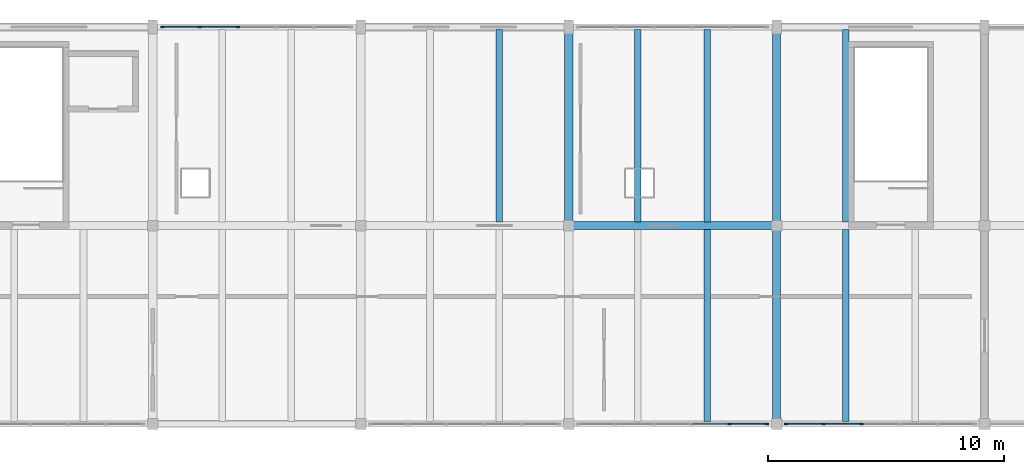
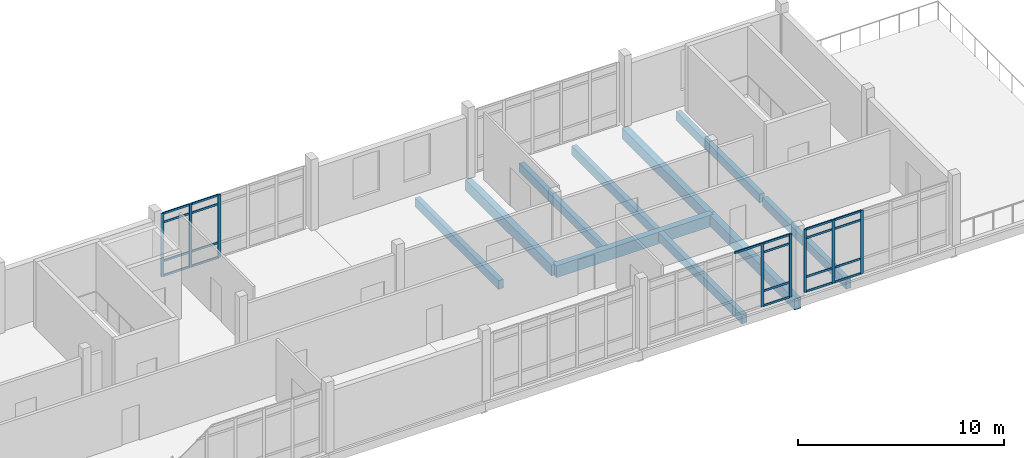
# One storey, part 6 of 13: 29 members, 10 beams, 3 elements without a shape of their own.
"""IFC4 building model written with IfcOpenShell, lengths in metres."""

from ifc_helpers import new_model, si_unit, direction, frame, origin, origin_2d, place, context, subcontext, project, spatial, rectangle, extrude, material, material_profile, profile_set, type_object, element, aggregate, save


model = new_model("IFC4")

# Units and contexts
model_context = context("Model", 3, precision=1e-05, world=origin(), true_north=direction((0.0, 1.0)))
body_context = subcontext(model_context, "Body", "Model", "MODEL_VIEW")
ifc_project = project(units=[si_unit("LENGTHUNIT", "METRE"), si_unit("AREAUNIT", "SQUARE_METRE"), si_unit("VOLUMEUNIT", "CUBIC_METRE"), si_unit("PLANEANGLEUNIT", "RADIAN"), si_unit("MASSUNIT", "GRAM", prefix="KILO")], contexts=[model_context])

# Site, building, storey
site_placement = place(None, origin())
site = spatial("IfcSite", under=ifc_project, at=site_placement, CompositionType="ELEMENT")
building_placement = place(site_placement, origin())
building = spatial("IfcBuilding", under=site, at=building_placement, Name="Cinderway Yard Community Centre", CompositionType="ELEMENT")
storey_placement = place(building_placement, frame((0.0, 0.0, 20.10009765625)))
storey = spatial("IfcBuildingStorey", under=building, at=storey_placement, Name="L05", CompositionType="ELEMENT", Elevation=20.10009765625)

# Curtain wall, members
ifc_material_1 = material(Name="Aluminium 6063-T6", Category="aluminium")
curtain_wall_type = type_object("IfcCurtainWallType", Name="ENV-CW-TYPE-27", PredefinedType="USERDEFINED", material=ifc_material_1)
curtain_wall_1_placement = place(storey_placement, origin())
curtain_wall_1 = element("IfcCurtainWall", 1, at=curtain_wall_1_placement, inside=storey, type_object=curtain_wall_type, Name="V4 Street Curtain Wall ENV-CW-L05-ST-0192", ObjectType="GLAZED CURTAIN WALL", PredefinedType="USERDEFINED")
ifc_material_profile_1 = material_profile(ifc_material_1, rectangle(XDim=0.06005859375, YDim=0.159912109375, at=origin_2d()), Name="Aluminium 6063-T6")
ifc_profile_set_1 = profile_set([ifc_material_profile_1], Name="Aluminium 6063-T6")
member_type_1 = type_object("IfcMemberType", Name="ENV-CW-MULL-150", PredefinedType="MULLION", material=ifc_profile_set_1)
member_1_placement = place(storey_placement, frame((84.409912109375, 115.199951171875, 0.0), z_axis=(0.0, 0.0, 1.0), x_axis=(0.0, 1.0, 0.0)))
member_1 = element("IfcMember", 2, at=member_1_placement, type_object=member_type_1, Name="CW-27 mullion 1", PredefinedType="MULLION", context=body_context, shape_type="SweptSolid", body=[
    extrude(rectangle(XDim=0.06005859375, YDim=0.159912109375, at=origin_2d()), origin(), (0.0, 0.0, 1.0), 3.75),
])
member_2_placement = place(storey_placement, frame((85.988037109375, 115.199951171875, 0.0), z_axis=(0.0, 0.0, 1.0), x_axis=(0.0, 1.0, 0.0)))
member_2 = element("IfcMember", 3, at=member_2_placement, type_object=member_type_1, Name="CW-27 mullion 2", PredefinedType="MULLION", context=body_context, shape_type="SweptSolid", body=[
    extrude(rectangle(XDim=0.06005859375, YDim=0.159912109375, at=origin_2d()), origin(), (0.0, 0.0, 1.0), 3.75),
])
member_3_placement = place(storey_placement, frame((87.595947265625, 115.199951171875, 0.0), z_axis=(0.0, 0.0, 1.0), x_axis=(0.0, 1.0, 0.0)))
member_3 = element("IfcMember", 4, at=member_3_placement, type_object=member_type_1, Name="CW-27 mullion 3", PredefinedType="MULLION", context=body_context, shape_type="SweptSolid", body=[
    extrude(rectangle(XDim=0.06005859375, YDim=0.159912109375, at=origin_2d()), origin(), (0.0, 0.0, 1.0), 3.75),
])

curtain_wall_2_placement = place(storey_placement, origin())
curtain_wall_2 = element("IfcCurtainWall", 5, at=curtain_wall_2_placement, inside=storey, type_object=curtain_wall_type, Name="V4 Courtyard Curtain Wall ENV-CW-L05-ST-0195", ObjectType="GLAZED CURTAIN WALL", PredefinedType="USERDEFINED")
member_4_placement = place(storey_placement, frame((108.412109375, 98.39990234375, 0.0), z_axis=(0.0, 0.0, 1.0), x_axis=(0.0, 1.0, 0.0)))
member_4 = element("IfcMember", 6, at=member_4_placement, type_object=member_type_1, Name="CW-27 mullion 5", PredefinedType="MULLION", context=body_context, shape_type="SweptSolid", body=[
    extrude(rectangle(XDim=0.06005859375, YDim=0.159912109375, at=origin_2d()), origin(), (0.0, 0.0, 1.0), 3.75),
])
member_5_placement = place(storey_placement, frame((109.989990234375, 98.39990234375, 0.0), z_axis=(0.0, 0.0, 1.0), x_axis=(0.0, 1.0, 0.0)))
member_5 = element("IfcMember", 7, at=member_5_placement, type_object=member_type_1, Name="CW-27 mullion 6", PredefinedType="MULLION", context=body_context, shape_type="SweptSolid", body=[
    extrude(rectangle(XDim=0.06005859375, YDim=0.159912109375, at=origin_2d()), origin(), (0.0, 0.0, 1.0), 3.75),
])

curtain_wall_3_placement = place(storey_placement, origin())
curtain_wall_3 = element("IfcCurtainWall", 8, at=curtain_wall_3_placement, inside=storey, type_object=curtain_wall_type, Name="V4 Courtyard Curtain Wall ENV-CW-L05-ST-0196", ObjectType="GLAZED CURTAIN WALL", PredefinedType="USERDEFINED")
member_6_placement = place(storey_placement, frame((110.81005859375, 98.39990234375, 0.0), z_axis=(0.0, 0.0, 1.0), x_axis=(0.0, 1.0, 0.0)))
member_6 = element("IfcMember", 9, at=member_6_placement, type_object=member_type_1, Name="CW-27 mullion 1", PredefinedType="MULLION", context=body_context, shape_type="SweptSolid", body=[
    extrude(rectangle(XDim=0.06005859375, YDim=0.159912109375, at=origin_2d()), origin(), (0.0, 0.0, 1.0), 3.75),
])
member_7_placement = place(storey_placement, frame((112.387939453125, 98.39990234375, 0.0), z_axis=(0.0, 0.0, 1.0), x_axis=(0.0, 1.0, 0.0)))
member_7 = element("IfcMember", 10, at=member_7_placement, type_object=member_type_1, Name="CW-27 mullion 2", PredefinedType="MULLION", context=body_context, shape_type="SweptSolid", body=[
    extrude(rectangle(XDim=0.06005859375, YDim=0.159912109375, at=origin_2d()), origin(), (0.0, 0.0, 1.0), 3.75),
])
member_8_placement = place(storey_placement, frame((113.99609375, 98.39990234375, 0.0), z_axis=(0.0, 0.0, 1.0), x_axis=(0.0, 1.0, 0.0)))
member_8 = element("IfcMember", 11, at=member_8_placement, type_object=member_type_1, Name="CW-27 mullion 3", PredefinedType="MULLION", context=body_context, shape_type="SweptSolid", body=[
    extrude(rectangle(XDim=0.06005859375, YDim=0.159912109375, at=origin_2d()), origin(), (0.0, 0.0, 1.0), 3.75),
])

# Member
ifc_material_profile_2 = material_profile(ifc_material_1, rectangle(XDim=0.06005859375, YDim=0.1201171875, at=origin_2d()), Name="Aluminium 6063-T6")
ifc_profile_set_2 = profile_set([ifc_material_profile_2], Name="Aluminium 6063-T6")
member_type_2 = type_object("IfcMemberType", Name="ENV-CW-TRAN-110", PredefinedType="USERDEFINED", material=ifc_profile_set_2)
member_9_placement = place(storey_placement, frame((84.43994140625, 115.199951171875, 0.02978515625), z_axis=(1.0, 0.0, 0.0), x_axis=(0.0, 1.0, 0.0)))
member_9 = element("IfcMember", 12, at=member_9_placement, type_object=member_type_2, Name="CW-27 transom 1.1", ObjectType="TRANSOM", PredefinedType="USERDEFINED", context=body_context, shape_type="SweptSolid", body=[
    extrude(rectangle(XDim=0.06005859375, YDim=0.1201171875, at=origin_2d()), origin(), (0.0, 0.0, 1.0), 1.51806640625),
])

member_10_placement = place(storey_placement, frame((84.43994140625, 115.199951171875, 0.89990234375), z_axis=(1.0, 0.0, 0.0), x_axis=(0.0, 1.0, 0.0)))
member_10 = element("IfcMember", 13, at=member_10_placement, type_object=member_type_2, Name="CW-27 transom 1.2", ObjectType="TRANSOM", PredefinedType="USERDEFINED", context=body_context, shape_type="SweptSolid", body=[
    extrude(rectangle(XDim=0.06005859375, YDim=0.1201171875, at=origin_2d()), origin(), (0.0, 0.0, 1.0), 1.51806640625),
])

member_11_placement = place(storey_placement, frame((84.43994140625, 115.199951171875, 3.199951171875), z_axis=(1.0, 0.0, 0.0), x_axis=(0.0, 1.0, 0.0)))
member_11 = element("IfcMember", 14, at=member_11_placement, type_object=member_type_2, Name="CW-27 transom 1.3", ObjectType="TRANSOM", PredefinedType="USERDEFINED", context=body_context, shape_type="SweptSolid", body=[
    extrude(rectangle(XDim=0.06005859375, YDim=0.1201171875, at=origin_2d()), origin(), (0.0, 0.0, 1.0), 1.51806640625),
])

member_12_placement = place(storey_placement, frame((84.43994140625, 115.199951171875, 3.719970703125), z_axis=(1.0, 0.0, 0.0), x_axis=(0.0, 1.0, 0.0)))
member_12 = element("IfcMember", 15, at=member_12_placement, type_object=member_type_2, Name="CW-27 transom 1.4", ObjectType="TRANSOM", PredefinedType="USERDEFINED", context=body_context, shape_type="SweptSolid", body=[
    extrude(rectangle(XDim=0.06005859375, YDim=0.1201171875, at=origin_2d()), origin(), (0.0, 0.0, 1.0), 1.51806640625),
])

member_13_placement = place(storey_placement, frame((86.01806640625, 115.199951171875, 0.02978515625), z_axis=(1.0, 0.0, 0.0), x_axis=(0.0, 1.0, 0.0)))
member_13 = element("IfcMember", 16, at=member_13_placement, type_object=member_type_2, Name="CW-27 transom 2.1", ObjectType="TRANSOM", PredefinedType="USERDEFINED", context=body_context, shape_type="SweptSolid", body=[
    extrude(rectangle(XDim=0.06005859375, YDim=0.1201171875, at=origin_2d()), origin(), (0.0, 0.0, 1.0), 1.5478515625),
])

member_14_placement = place(storey_placement, frame((86.01806640625, 115.199951171875, 0.89990234375), z_axis=(1.0, 0.0, 0.0), x_axis=(0.0, 1.0, 0.0)))
member_14 = element("IfcMember", 17, at=member_14_placement, type_object=member_type_2, Name="CW-27 transom 2.2", ObjectType="TRANSOM", PredefinedType="USERDEFINED", context=body_context, shape_type="SweptSolid", body=[
    extrude(rectangle(XDim=0.06005859375, YDim=0.1201171875, at=origin_2d()), origin(), (0.0, 0.0, 1.0), 1.5478515625),
])

member_15_placement = place(storey_placement, frame((86.01806640625, 115.199951171875, 3.199951171875), z_axis=(1.0, 0.0, 0.0), x_axis=(0.0, 1.0, 0.0)))
member_15 = element("IfcMember", 18, at=member_15_placement, type_object=member_type_2, Name="CW-27 transom 2.3", ObjectType="TRANSOM", PredefinedType="USERDEFINED", context=body_context, shape_type="SweptSolid", body=[
    extrude(rectangle(XDim=0.06005859375, YDim=0.1201171875, at=origin_2d()), origin(), (0.0, 0.0, 1.0), 1.5478515625),
])

member_16_placement = place(storey_placement, frame((86.01806640625, 115.199951171875, 3.719970703125), z_axis=(1.0, 0.0, 0.0), x_axis=(0.0, 1.0, 0.0)))
member_16 = element("IfcMember", 19, at=member_16_placement, type_object=member_type_2, Name="CW-27 transom 2.4", ObjectType="TRANSOM", PredefinedType="USERDEFINED", context=body_context, shape_type="SweptSolid", body=[
    extrude(rectangle(XDim=0.06005859375, YDim=0.1201171875, at=origin_2d()), origin(), (0.0, 0.0, 1.0), 1.5478515625),
])

aggregate(curtain_wall_1, [member_1, member_2, member_3, member_9, member_10, member_11, member_12, member_13, member_14, member_15, member_16])

member_17_placement = place(storey_placement, frame((106.833984375, 98.39990234375, 3.719970703125), z_axis=(1.0, 0.0, 0.0), x_axis=(0.0, 1.0, 0.0)))
member_17 = element("IfcMember", 20, at=member_17_placement, type_object=member_type_2, Name="CW-27 transom 4.4", ObjectType="TRANSOM", PredefinedType="USERDEFINED", context=body_context, shape_type="SweptSolid", body=[
    extrude(rectangle(XDim=0.06005859375, YDim=0.1201171875, at=origin_2d()), origin(), (0.0, 0.0, 1.0), 1.548095703125),
])

member_18_placement = place(storey_placement, frame((108.44189453125, 98.39990234375, 0.02978515625), z_axis=(1.0, 0.0, 0.0), x_axis=(0.0, 1.0, 0.0)))
member_18 = element("IfcMember", 21, at=member_18_placement, type_object=member_type_2, Name="CW-27 transom 5.1", ObjectType="TRANSOM", PredefinedType="USERDEFINED", context=body_context, shape_type="SweptSolid", body=[
    extrude(rectangle(XDim=0.06005859375, YDim=0.1201171875, at=origin_2d()), origin(), (0.0, 0.0, 1.0), 1.51806640625),
])

member_19_placement = place(storey_placement, frame((108.44189453125, 98.39990234375, 0.89990234375), z_axis=(1.0, 0.0, 0.0), x_axis=(0.0, 1.0, 0.0)))
member_19 = element("IfcMember", 22, at=member_19_placement, type_object=member_type_2, Name="CW-27 transom 5.2", ObjectType="TRANSOM", PredefinedType="USERDEFINED", context=body_context, shape_type="SweptSolid", body=[
    extrude(rectangle(XDim=0.06005859375, YDim=0.1201171875, at=origin_2d()), origin(), (0.0, 0.0, 1.0), 1.51806640625),
])

member_20_placement = place(storey_placement, frame((108.44189453125, 98.39990234375, 3.199951171875), z_axis=(1.0, 0.0, 0.0), x_axis=(0.0, 1.0, 0.0)))
member_20 = element("IfcMember", 23, at=member_20_placement, type_object=member_type_2, Name="CW-27 transom 5.3", ObjectType="TRANSOM", PredefinedType="USERDEFINED", context=body_context, shape_type="SweptSolid", body=[
    extrude(rectangle(XDim=0.06005859375, YDim=0.1201171875, at=origin_2d()), origin(), (0.0, 0.0, 1.0), 1.51806640625),
])

member_21_placement = place(storey_placement, frame((108.44189453125, 98.39990234375, 3.719970703125), z_axis=(1.0, 0.0, 0.0), x_axis=(0.0, 1.0, 0.0)))
member_21 = element("IfcMember", 24, at=member_21_placement, type_object=member_type_2, Name="CW-27 transom 5.4", ObjectType="TRANSOM", PredefinedType="USERDEFINED", context=body_context, shape_type="SweptSolid", body=[
    extrude(rectangle(XDim=0.06005859375, YDim=0.1201171875, at=origin_2d()), origin(), (0.0, 0.0, 1.0), 1.51806640625),
])

aggregate(curtain_wall_2, [member_4, member_5, member_17, member_18, member_19, member_20, member_21])

member_22_placement = place(storey_placement, frame((110.840087890625, 98.39990234375, 0.02978515625), z_axis=(1.0, 0.0, 0.0), x_axis=(0.0, 1.0, 0.0)))
member_22 = element("IfcMember", 25, at=member_22_placement, type_object=member_type_2, Name="CW-27 transom 1.1", ObjectType="TRANSOM", PredefinedType="USERDEFINED", context=body_context, shape_type="SweptSolid", body=[
    extrude(rectangle(XDim=0.06005859375, YDim=0.1201171875, at=origin_2d()), origin(), (0.0, 0.0, 1.0), 1.517822265625),
])

member_23_placement = place(storey_placement, frame((110.840087890625, 98.39990234375, 0.89990234375), z_axis=(1.0, 0.0, 0.0), x_axis=(0.0, 1.0, 0.0)))
member_23 = element("IfcMember", 26, at=member_23_placement, type_object=member_type_2, Name="CW-27 transom 1.2", ObjectType="TRANSOM", PredefinedType="USERDEFINED", context=body_context, shape_type="SweptSolid", body=[
    extrude(rectangle(XDim=0.06005859375, YDim=0.1201171875, at=origin_2d()), origin(), (0.0, 0.0, 1.0), 1.517822265625),
])

member_24_placement = place(storey_placement, frame((110.840087890625, 98.39990234375, 3.199951171875), z_axis=(1.0, 0.0, 0.0), x_axis=(0.0, 1.0, 0.0)))
member_24 = element("IfcMember", 27, at=member_24_placement, type_object=member_type_2, Name="CW-27 transom 1.3", ObjectType="TRANSOM", PredefinedType="USERDEFINED", context=body_context, shape_type="SweptSolid", body=[
    extrude(rectangle(XDim=0.06005859375, YDim=0.1201171875, at=origin_2d()), origin(), (0.0, 0.0, 1.0), 1.517822265625),
])

member_25_placement = place(storey_placement, frame((110.840087890625, 98.39990234375, 3.719970703125), z_axis=(1.0, 0.0, 0.0), x_axis=(0.0, 1.0, 0.0)))
member_25 = element("IfcMember", 28, at=member_25_placement, type_object=member_type_2, Name="CW-27 transom 1.4", ObjectType="TRANSOM", PredefinedType="USERDEFINED", context=body_context, shape_type="SweptSolid", body=[
    extrude(rectangle(XDim=0.06005859375, YDim=0.1201171875, at=origin_2d()), origin(), (0.0, 0.0, 1.0), 1.517822265625),
])

member_26_placement = place(storey_placement, frame((112.41796875, 98.39990234375, 0.02978515625), z_axis=(1.0, 0.0, 0.0), x_axis=(0.0, 1.0, 0.0)))
member_26 = element("IfcMember", 29, at=member_26_placement, type_object=member_type_2, Name="CW-27 transom 2.1", ObjectType="TRANSOM", PredefinedType="USERDEFINED", context=body_context, shape_type="SweptSolid", body=[
    extrude(rectangle(XDim=0.06005859375, YDim=0.1201171875, at=origin_2d()), origin(), (0.0, 0.0, 1.0), 1.548095703125),
])

member_27_placement = place(storey_placement, frame((112.41796875, 98.39990234375, 0.89990234375), z_axis=(1.0, 0.0, 0.0), x_axis=(0.0, 1.0, 0.0)))
member_27 = element("IfcMember", 30, at=member_27_placement, type_object=member_type_2, Name="CW-27 transom 2.2", ObjectType="TRANSOM", PredefinedType="USERDEFINED", context=body_context, shape_type="SweptSolid", body=[
    extrude(rectangle(XDim=0.06005859375, YDim=0.1201171875, at=origin_2d()), origin(), (0.0, 0.0, 1.0), 1.548095703125),
])

member_28_placement = place(storey_placement, frame((112.41796875, 98.39990234375, 3.199951171875), z_axis=(1.0, 0.0, 0.0), x_axis=(0.0, 1.0, 0.0)))
member_28 = element("IfcMember", 31, at=member_28_placement, type_object=member_type_2, Name="CW-27 transom 2.3", ObjectType="TRANSOM", PredefinedType="USERDEFINED", context=body_context, shape_type="SweptSolid", body=[
    extrude(rectangle(XDim=0.06005859375, YDim=0.1201171875, at=origin_2d()), origin(), (0.0, 0.0, 1.0), 1.548095703125),
])

member_29_placement = place(storey_placement, frame((112.41796875, 98.39990234375, 3.719970703125), z_axis=(1.0, 0.0, 0.0), x_axis=(0.0, 1.0, 0.0)))
member_29 = element("IfcMember", 32, at=member_29_placement, type_object=member_type_2, Name="CW-27 transom 2.4", ObjectType="TRANSOM", PredefinedType="USERDEFINED", context=body_context, shape_type="SweptSolid", body=[
    extrude(rectangle(XDim=0.06005859375, YDim=0.1201171875, at=origin_2d()), origin(), (0.0, 0.0, 1.0), 1.548095703125),
])

aggregate(curtain_wall_3, [member_6, member_7, member_8, member_22, member_23, member_24, member_25, member_26, member_27, member_28, member_29])

# Beams
ifc_material_2 = material(Name="Concrete C35/45", Category="concrete")
ifc_material_profile_3 = material_profile(ifc_material_2, rectangle(XDim=0.280029296875, YDim=0.52001953125, at=origin_2d()), Name="Concrete C35/45")
ifc_profile_set_3 = profile_set([ifc_material_profile_3], Name="Concrete C35/45")
beam_type_1 = type_object("IfcBeamType", Name="STR-BM-RC280X520", PredefinedType="JOIST", material=ifc_profile_set_3)
beam_1_placement = place(storey_placement, frame((98.6669921875, 106.95703125, -0.47998046875), z_axis=(0.0, 1.0, 0.0), x_axis=(-1.0, 0.0, 0.0)))
element("IfcBeam", 33, at=beam_1_placement, inside=storey, type_object=beam_type_1, Name="Secondary joist STR-BM-L05-BJ04-0988", PredefinedType="JOIST", context=body_context, shape_type="SweptSolid", body=[
    extrude(rectangle(XDim=0.280029296875, YDim=0.52001953125, at=origin_2d()), origin(), (0.0, 0.0, 1.0), 8.130859375),
])
beam_2_placement = place(storey_placement, frame((107.467041015625, 98.511962890625, -0.47998046875), z_axis=(0.0, 1.0, 0.0), x_axis=(-1.0, 0.0, 0.0)))
element("IfcBeam", 34, at=beam_2_placement, inside=storey, type_object=beam_type_1, Name="Secondary joist STR-BM-L05-BJ04-0990", PredefinedType="JOIST", context=body_context, shape_type="SweptSolid", body=[
    extrude(rectangle(XDim=0.280029296875, YDim=0.52001953125, at=origin_2d()), origin(), (0.0, 0.0, 1.0), 8.131103515625),
])
for number, where, z_axis, x_axis, name in (
    (35, (104.532958984375, 106.95703125, -0.47998046875), (0.0, 1.0, 0.0), (-1.0, 0.0, 0.0), "Secondary joist STR-BM-L05-BJ04-0991"),
    (36, (107.467041015625, 106.95703125, -0.47998046875), (0.0, 1.0, 0.0), (-1.0, 0.0, 0.0), "Secondary joist STR-BM-L05-BJ04-0992"),
):
    element("IfcBeam", number, at=place(storey_placement, frame(where, z_axis=z_axis, x_axis=x_axis)), inside=storey, type_object=beam_type_1, Name=name, PredefinedType="JOIST", context=body_context, shape_type="SweptSolid", body=[
        extrude(rectangle(XDim=0.280029296875, YDim=0.52001953125, at=origin_2d()), origin(), (0.0, 0.0, 1.0), 8.130859375),
    ])
beam_3_placement = place(storey_placement, frame((113.3330078125, 98.511962890625, -0.47998046875), z_axis=(0.0, 1.0, 0.0), x_axis=(-1.0, 0.0, 0.0)))
element("IfcBeam", 37, at=beam_3_placement, inside=storey, type_object=beam_type_1, Name="Secondary joist STR-BM-L05-BJ04-0993", PredefinedType="JOIST", context=body_context, shape_type="SweptSolid", body=[
    extrude(rectangle(XDim=0.280029296875, YDim=0.52001953125, at=origin_2d()), origin(), (0.0, 0.0, 1.0), 8.131103515625),
])
beam_4_placement = place(storey_placement, frame((113.3330078125, 106.95703125, -0.47998046875), z_axis=(0.0, 1.0, 0.0), x_axis=(-1.0, 0.0, 0.0)))
element("IfcBeam", 38, at=beam_4_placement, inside=storey, type_object=beam_type_1, Name="Secondary joist STR-BM-L05-BJ04-0995", PredefinedType="JOIST", context=body_context, shape_type="SweptSolid", body=[
    extrude(rectangle(XDim=0.280029296875, YDim=0.52001953125, at=origin_2d()), origin(), (0.0, 0.0, 1.0), 8.130859375),
])
ifc_material_profile_4 = material_profile(ifc_material_2, rectangle(XDim=0.35009765625, YDim=0.64990234375, at=origin_2d()), Name="Concrete C35/45")
ifc_profile_set_4 = profile_set([ifc_material_profile_4], Name="Concrete C35/45")
beam_type_2 = type_object("IfcBeamType", Name="STR-BM-RC350X650", PredefinedType="BEAM", material=ifc_profile_set_4)
beam_5_placement = place(storey_placement, frame((101.60009765625, 106.800048828125, -0.545166015625), z_axis=(0.0, 1.0, 0.0), x_axis=(-1.0, 0.0, 0.0)))
element("IfcBeam", 39, at=beam_5_placement, inside=storey, type_object=beam_type_2, Name="Transverse girder STR-BM-L05-BG08-0962", PredefinedType="BEAM", context=body_context, shape_type="SweptSolid", body=[
    extrude(rectangle(XDim=0.35009765625, YDim=0.64990234375, at=origin_2d()), origin(), (0.0, 0.0, 1.0), 8.39990234375),
])
beam_6_placement = place(storey_placement, frame((110.39990234375, 98.39990234375, -0.545166015625), z_axis=(0.0, 1.0, 0.0), x_axis=(-1.0, 0.0, 0.0)))
element("IfcBeam", 40, at=beam_6_placement, inside=storey, type_object=beam_type_2, Name="Transverse girder STR-BM-L05-BG08-0963", PredefinedType="BEAM", context=body_context, shape_type="SweptSolid", body=[
    extrude(rectangle(XDim=0.35009765625, YDim=0.64990234375, at=origin_2d()), origin(), (0.0, 0.0, 1.0), 8.400146484375),
])
beam_7_placement = place(storey_placement, frame((110.39990234375, 106.800048828125, -0.545166015625), z_axis=(0.0, 1.0, 0.0), x_axis=(-1.0, 0.0, 0.0)))
element("IfcBeam", 41, at=beam_7_placement, inside=storey, type_object=beam_type_2, Name="Transverse girder STR-BM-L05-BG08-0964", PredefinedType="BEAM", context=body_context, shape_type="SweptSolid", body=[
    extrude(rectangle(XDim=0.35009765625, YDim=0.64990234375, at=origin_2d()), origin(), (0.0, 0.0, 1.0), 8.39990234375),
])
ifc_material_profile_5 = material_profile(ifc_material_2, rectangle(XDim=0.35009765625, YDim=0.699951171875, at=origin_2d()), Name="Concrete C35/45")
ifc_profile_set_5 = profile_set([ifc_material_profile_5], Name="Concrete C35/45")
beam_type_3 = type_object("IfcBeamType", Name="STR-BM-RC350X700", PredefinedType="BEAM", material=ifc_profile_set_5)
beam_8_placement = place(storey_placement, frame((101.60009765625, 106.800048828125, -0.570068359375), z_axis=(1.0, 0.0, 0.0), x_axis=(0.0, 1.0, 0.0)))
element("IfcBeam", 42, at=beam_8_placement, inside=storey, type_object=beam_type_3, Name="Primary girder STR-BM-L05-BG07-0937", PredefinedType="BEAM", context=body_context, shape_type="SweptSolid", body=[
    extrude(rectangle(XDim=0.35009765625, YDim=0.699951171875, at=origin_2d()), origin(), (0.0, 0.0, 1.0), 8.7998046875),
])

save(model, "model.ifc")
